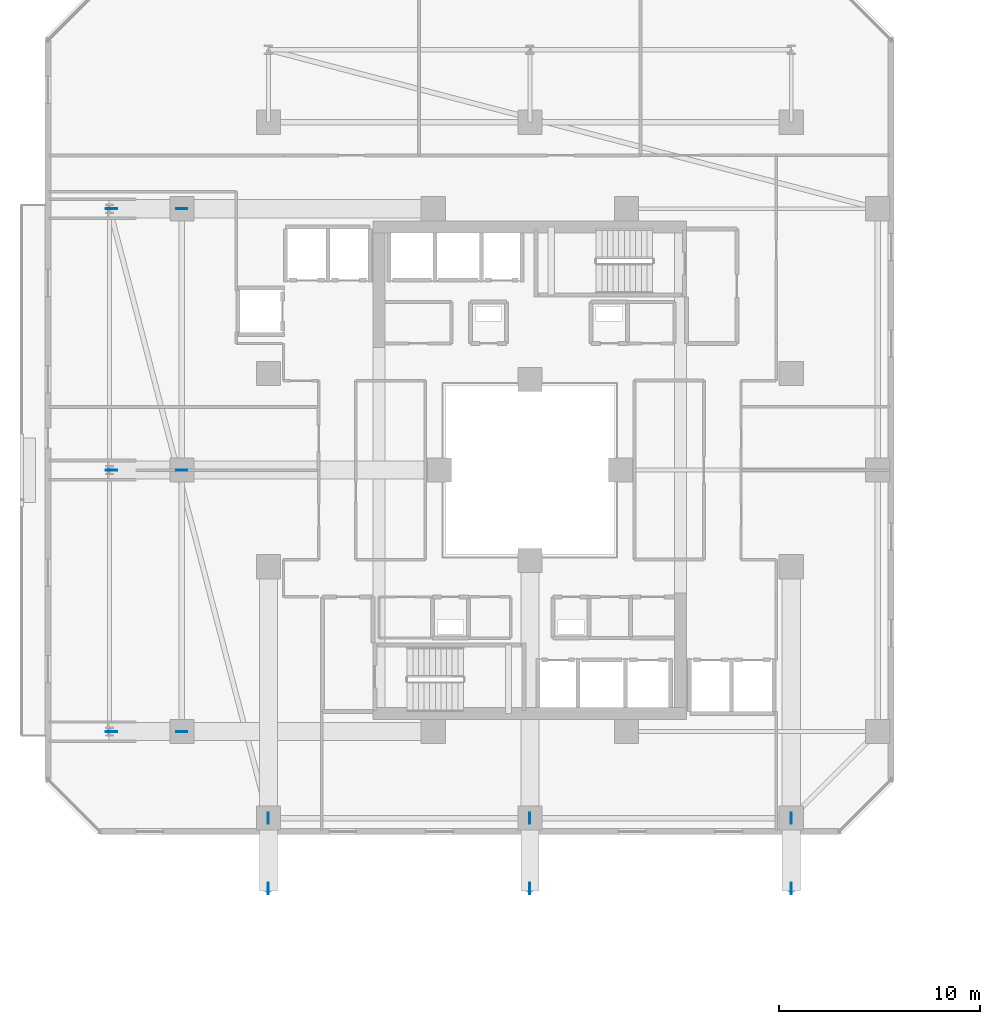
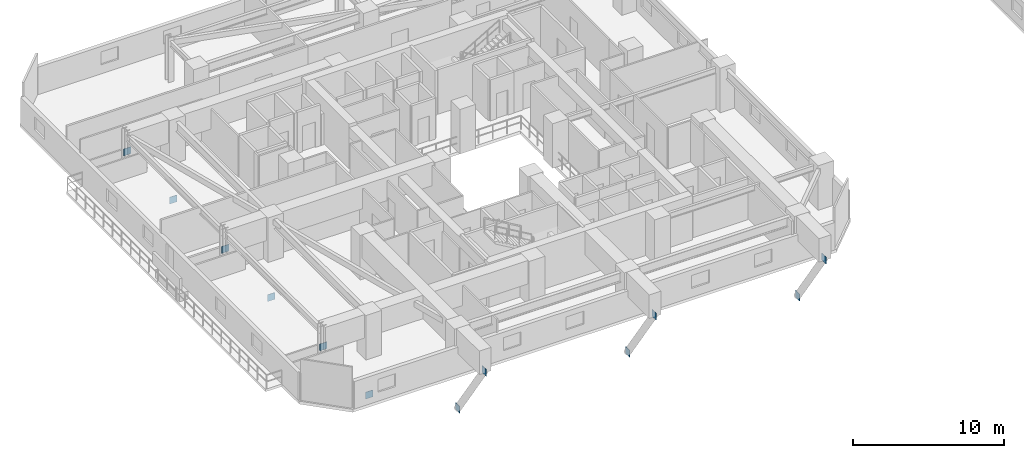
# One storey, part 19 of 36: 12 plates.
"""IFC4 building model written with IfcOpenShell, lengths in metres."""

from ifc_helpers import new_model, si_unit, direction, frame, origin, origin_2d, place, context, subcontext, project, spatial, rectangle, extrude, material, layer, layer_set, type_object, element, save


model = new_model("IFC4")

# Units and contexts
model_context = context("Model", 3, precision=1e-05, world=origin(), true_north=direction((0.0, 1.0)))
body_context = subcontext(model_context, "Body", "Model", "MODEL_VIEW")
ifc_project = project(units=[si_unit("LENGTHUNIT", "METRE"), si_unit("AREAUNIT", "SQUARE_METRE"), si_unit("VOLUMEUNIT", "CUBIC_METRE"), si_unit("PLANEANGLEUNIT", "RADIAN"), si_unit("MASSUNIT", "GRAM", prefix="KILO")], contexts=[model_context])

# Site, building, storey
site_placement = place(None, origin())
site = spatial("IfcSite", under=ifc_project, at=site_placement, CompositionType="ELEMENT")
building_placement = place(site_placement, origin())
building = spatial("IfcBuilding", under=site, at=building_placement, Name="Thornwick Lancets Civic Towers", CompositionType="ELEMENT")
storey_placement = place(building_placement, frame((0.0, 0.0, 116.10009765625)))
storey = spatial("IfcBuildingStorey", under=building, at=storey_placement, Name="L30", CompositionType="ELEMENT", Elevation=116.10009765625)

# Plates
ifc_material = material(Name="Steel S460M", Category="steel")
ifc_layer = layer(ifc_material, 0.0400390625, Name="Steel S460M")
ifc_layer_set = layer_set([ifc_layer], Name="Steel S460M")
plate_type = type_object("IfcPlateType", Name="PLT_GUSSET_40", PredefinedType="USERDEFINED", material=ifc_layer_set)
for number, where, z_axis, x_axis, name in (
    (1, (12.5, 9.699951171875, -3.625), (0.0, 0.0, 1.0), (0.0, -1.0, 0.0), "L30 Brace Connection Gusset Plate 0155"),
    (2, (12.5, 6.199951171875, 1.5048828125), (0.0, 0.0, 1.0), (0.0, -1.0, 0.0), "L30 Brace Connection Gusset Plate 0156"),
    (3, (25.5, 9.699951171875, -3.625), (0.0, 0.0, 1.0), (0.0, -1.0, 0.0), "L30 Brace Connection Gusset Plate 0157"),
    (4, (25.5, 6.199951171875, 1.5048828125), (0.0, 0.0, 1.0), (0.0, -1.0, 0.0), "L30 Brace Connection Gusset Plate 0158"),
    (5, (38.5, 9.699951171875, -3.625), (0.0, 0.0, 1.0), (0.0, -1.0, 0.0), "L30 Brace Connection Gusset Plate 0159"),
    (6, (38.5, 6.199951171875, 1.5048828125), (0.0, 0.0, 1.0), (0.0, -1.0, 0.0), "L30 Brace Connection Gusset Plate 0160"),
    (7, (8.199951171875, 14.0, -3.625), (0.0, 0.0, 1.0), (-1.0, 0.0, 0.0), "L30 Brace Connection Gusset Plate 0161"),
    (8, (4.699951171875, 14.0, 1.5048828125), (0.0, 0.0, 1.0), (-1.0, 0.0, 0.0), "L30 Brace Connection Gusset Plate 0162"),
    (9, (8.199951171875, 27.0, -3.625), (0.0, 0.0, 1.0), (-1.0, 0.0, 0.0), "L30 Brace Connection Gusset Plate 0163"),
    (10, (4.699951171875, 27.0, 1.5048828125), (0.0, 0.0, 1.0), (-1.0, 0.0, 0.0), "L30 Brace Connection Gusset Plate 0164"),
    (11, (8.199951171875, 40.0, -3.625), (0.0, 0.0, 1.0), (-1.0, 0.0, 0.0), "L30 Brace Connection Gusset Plate 0165"),
    (12, (4.699951171875, 40.0, 1.5048828125), (0.0, 0.0, 1.0), (-1.0, 0.0, 0.0), "L30 Brace Connection Gusset Plate 0166"),
):
    element("IfcPlate", number, at=place(storey_placement, frame(where, z_axis=z_axis, x_axis=x_axis)), inside=storey, type_object=plate_type, Name=name, ObjectType="GUSSET_PLATE", PredefinedType="USERDEFINED", context=body_context, shape_type="SweptSolid", body=[
        extrude(rectangle(XDim=0.550048828125, YDim=0.0400390625, at=origin_2d()), origin(), (0.0, 0.0, 1.0), 0.550048828125),
    ])

save(model, "model.ifc")
